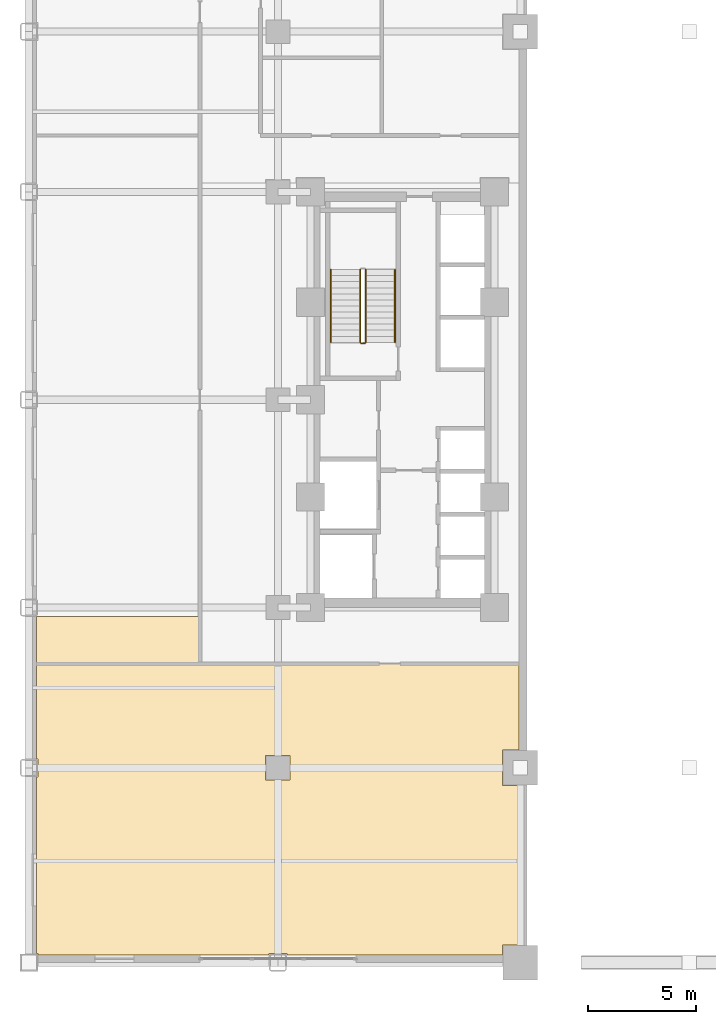
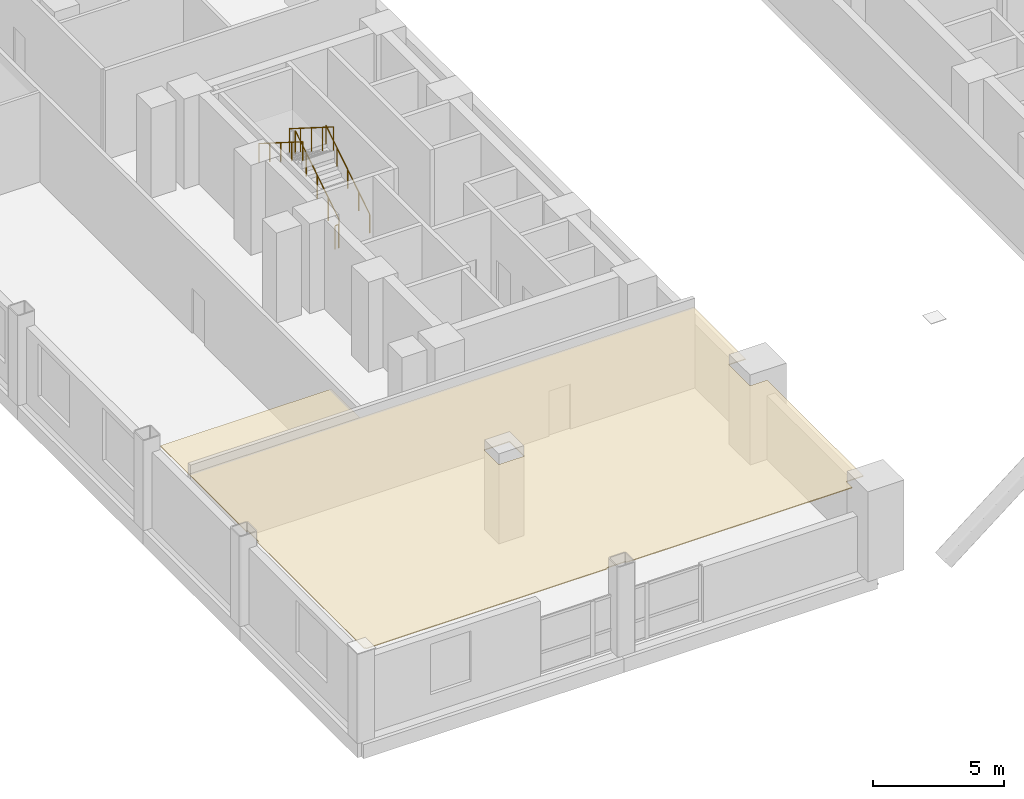
# One storey, part 11 of 14: 5 railings, 2 coverings.
"""IFC4 building model written with IfcOpenShell, lengths in metres."""

from ifc_helpers import new_model, si_unit, direction, frame, origin, origin_2d, place, context, subcontext, project, spatial, polyline, circle, outline, extrude, material, layer, layer_set, type_object, element, save


model = new_model("IFC4")

# Units and contexts
model_context = context("Model", 3, precision=1e-05, world=origin(), true_north=direction((0.0, 1.0)))
body_context = subcontext(model_context, "Body", "Model", "MODEL_VIEW")
ifc_project = project(units=[si_unit("LENGTHUNIT", "METRE"), si_unit("AREAUNIT", "SQUARE_METRE"), si_unit("VOLUMEUNIT", "CUBIC_METRE"), si_unit("PLANEANGLEUNIT", "RADIAN"), si_unit("MASSUNIT", "GRAM", prefix="KILO")], contexts=[model_context])

# Site, building, storey
site_placement = place(None, origin())
site = spatial("IfcSite", under=ifc_project, at=site_placement, CompositionType="ELEMENT")
building_placement = place(site_placement, origin())
building = spatial("IfcBuilding", under=site, at=building_placement, Name="Nuvemarco Arch Tower", CompositionType="ELEMENT")
storey_placement = place(building_placement, frame((0.0, 0.0, 13.800048828125)))
storey = spatial("IfcBuildingStorey", under=building, at=storey_placement, Name="L03", CompositionType="ELEMENT", Elevation=13.800048828125)

# Coverings
ifc_material_1 = material(Name="Mineral acoustic ceiling tile")
ifc_layer = layer(ifc_material_1, 0.0400390625, Name="COV-ACOUSTIC-CLG")
ifc_layer_set = layer_set([ifc_layer], Name="Mineral acoustic ceiling tile")
covering_type = type_object("IfcCoveringType", Name="COV-ACOUSTIC-CLG", PredefinedType="CEILING", material=ifc_layer_set)
covering_1_placement = place(storey_placement, frame((0.0, 0.0, 3.679931640625)))
element("IfcCovering", 1, at=covering_1_placement, inside=storey, type_object=covering_type, Name="L03 suspended acoustic ceiling 1", PredefinedType="CEILING", context=body_context, shape_type="SweptSolid", body=[
    extrude(outline(polyline([(-30.0849609375, -25.5849609375), (-30.139892578125, -25.5849609375), (-30.139892578125, -17.4150390625), (-30.0849609375, -17.4150390625), (-30.0849609375, -16.5849609375), (-30.139892578125, -16.5849609375), (-30.139892578125, -12.199951171875), (-22.60009765625, -12.199951171875), (-19.800048828125, -12.199951171875), (-7.860107421875, -12.199951171875), (-7.860107421875, -16.18505859375), (-8.614990234375, -16.18505859375), (-8.614990234375, -17.81494140625), (-7.860107421875, -17.81494140625), (-7.860107421875, -25.18505859375), (-8.614990234375, -25.18505859375), (-8.614990234375, -25.639892578125), (-18.5849609375, -25.639892578125), (-18.5849609375, -25.5849609375), (-19.4150390625, -25.5849609375), (-19.4150390625, -25.639892578125), (-30.0849609375, -25.639892578125), (-30.0849609375, -25.5849609375)]), holes=[polyline([(-18.43505859375, -16.43505859375), (-19.56494140625, -16.43505859375), (-19.56494140625, -17.56494140625), (-18.43505859375, -17.56494140625), (-18.43505859375, -16.43505859375)])]), origin(), (0.0, 0.0, 1.0), 0.0400390625),
])
covering_2_placement = place(storey_placement, frame((0.0, 0.0, 3.679931640625)))
element("IfcCovering", 2, at=covering_2_placement, inside=storey, type_object=covering_type, Name="L03 suspended acoustic ceiling 3", PredefinedType="CEILING", context=body_context, shape_type="SweptSolid", body=[
    extrude(outline(polyline([(-30.139892578125, -10.014892578125), (-30.0849609375, -10.014892578125), (-30.0849609375, -10.0), (-22.60009765625, -10.0), (-22.60009765625, -12.199951171875), (-30.139892578125, -12.199951171875), (-30.139892578125, -10.014892578125)])), origin(), (0.0, 0.0, 1.0), 0.0400390625),
])

# Railings
ifc_material_2 = material(Name="Brushed stainless steel handrail", Category="steel")
railing_type_1 = type_object("IfcRailingType", Name="RL-HANDRAIL-900", PredefinedType="HANDRAIL", material=ifc_material_2)
railing_1_placement = place(storey_placement, frame((-13.590087890625, 2.64990234375, 0.1767578125)))
element("IfcRailing", 3, at=railing_1_placement, inside=storey, type_object=railing_type_1, Name="L03 ST-1 stair handrail 1", PredefinedType="HANDRAIL", context=body_context, shape_type="SweptSolid", body=[
    extrude(circle(Radius=0.02392578125, at=origin_2d()), frame((0.0, 0.0, 0.8759765625), z_axis=(0.0, 0.845361898145, 0.534194029511), x_axis=(-1.0, 0.0, 0.0)), (0.0, 0.0, 1.0), 3.974853515625),
    extrude(circle(Radius=0.02099609375, at=origin_2d()), origin(), (0.0, 0.0, 1.0), 0.851806640625),
    extrude(circle(Radius=0.02099609375, at=origin_2d()), frame((0.0, 0.840087890625, 0.53076171875)), (0.0, 0.0, 1.0), 0.851806640625),
    extrude(circle(Radius=0.02099609375, at=origin_2d()), frame((0.0, 1.68017578125, 1.0615234375)), (0.0, 0.0, 1.0), 0.851806640625),
    extrude(circle(Radius=0.02099609375, at=origin_2d()), frame((0.0, 2.52001953125, 1.592529296875)), (0.0, 0.0, 1.0), 0.851806640625),
    extrude(circle(Radius=0.02099609375, at=origin_2d()), frame((0.0, 3.360107421875, 2.123291015625)), (0.0, 0.0, 1.0), 0.851806640625),
])
railing_2_placement = place(storey_placement, frame((-16.550048828125, 6.010009765625, 2.476806640625)))
element("IfcRailing", 4, at=railing_2_placement, inside=storey, type_object=railing_type_1, Name="L03 ST-1 stair handrail 2", PredefinedType="HANDRAIL", context=body_context, shape_type="SweptSolid", body=[
    extrude(circle(Radius=0.02392578125, at=origin_2d()), frame((0.0, 0.0, 0.8759765625), z_axis=(0.0, -0.845389635667, 0.534150132366), x_axis=(1.0, 0.0, 0.0)), (0.0, 0.0, 1.0), 3.974609375),
    extrude(circle(Radius=0.02099609375, at=origin_2d()), origin(), (0.0, 0.0, 1.0), 0.851806640625),
    extrude(circle(Radius=0.02099609375, at=origin_2d()), frame((0.0, -0.840087890625, 0.53076171875)), (0.0, 0.0, 1.0), 0.851806640625),
    extrude(circle(Radius=0.02099609375, at=origin_2d()), frame((0.0, -1.68017578125, 1.0615234375)), (0.0, 0.0, 1.0), 0.851806640625),
    extrude(circle(Radius=0.02099609375, at=origin_2d()), frame((0.0, -2.52001953125, 1.59228515625)), (0.0, 0.0, 1.0), 0.851806640625),
    extrude(circle(Radius=0.02099609375, at=origin_2d()), frame((0.0, -3.360107421875, 2.123046875)), (0.0, 0.0, 1.0), 0.851806640625),
])
ifc_material_3 = material(Name="Painted balustrade steel S355", Category="steel")
railing_type_2 = type_object("IfcRailingType", Name="RL-STAIR-GUARD", PredefinedType="GUARDRAIL", material=ifc_material_3)
railing_3_placement = place(storey_placement, frame((-14.93994140625, 2.64990234375, 0.1767578125)))
element("IfcRailing", 5, at=railing_3_placement, inside=storey, type_object=railing_type_2, Name="L03 ST-1 stair guard 1", PredefinedType="GUARDRAIL", context=body_context, shape_type="SweptSolid", body=[
    extrude(circle(Radius=0.02392578125, at=origin_2d()), frame((0.0, 0.0, 1.09619140625), z_axis=(0.0, 0.845361898145, 0.534194029511), x_axis=(-1.0, 0.0, 0.0)), (0.0, 0.0, 1.0), 3.974853515625),
    extrude(circle(Radius=0.02099609375, at=origin_2d()), origin(), (0.0, 0.0, 1.0), 1.072021484375),
    extrude(circle(Radius=0.02099609375, at=origin_2d()), frame((0.0, 0.840087890625, 0.53076171875)), (0.0, 0.0, 1.0), 1.072021484375),
    extrude(circle(Radius=0.02099609375, at=origin_2d()), frame((0.0, 1.68017578125, 1.0615234375)), (0.0, 0.0, 1.0), 1.072021484375),
    extrude(circle(Radius=0.02099609375, at=origin_2d()), frame((0.0, 2.52001953125, 1.592529296875)), (0.0, 0.0, 1.0), 1.072021484375),
    extrude(circle(Radius=0.02099609375, at=origin_2d()), frame((0.0, 3.360107421875, 2.123291015625)), (0.0, 0.0, 1.0), 1.072021484375),
])
railing_4_placement = place(storey_placement, frame((-15.199951171875, 6.010009765625, 2.476806640625)))
element("IfcRailing", 6, at=railing_4_placement, inside=storey, type_object=railing_type_2, Name="L03 ST-1 stair guard 3", PredefinedType="GUARDRAIL", context=body_context, shape_type="SweptSolid", body=[
    extrude(circle(Radius=0.02392578125, at=origin_2d()), frame((0.0, 0.0, 1.09619140625), z_axis=(0.0, -0.845389635667, 0.534150132366), x_axis=(1.0, 0.0, 0.0)), (0.0, 0.0, 1.0), 3.974609375),
    extrude(circle(Radius=0.02099609375, at=origin_2d()), origin(), (0.0, 0.0, 1.0), 1.072021484375),
    extrude(circle(Radius=0.02099609375, at=origin_2d()), frame((0.0, -0.840087890625, 0.53076171875)), (0.0, 0.0, 1.0), 1.072021484375),
    extrude(circle(Radius=0.02099609375, at=origin_2d()), frame((0.0, -1.68017578125, 1.0615234375)), (0.0, 0.0, 1.0), 1.072021484375),
    extrude(circle(Radius=0.02099609375, at=origin_2d()), frame((0.0, -2.52001953125, 1.59228515625)), (0.0, 0.0, 1.0), 1.072021484375),
    extrude(circle(Radius=0.02099609375, at=origin_2d()), frame((0.0, -3.360107421875, 2.123046875)), (0.0, 0.0, 1.0), 1.072021484375),
])
railing_5_placement = place(storey_placement, frame((-14.989990234375, 2.60009765625, 0.0)))
element("IfcRailing", 7, at=railing_5_placement, inside=storey, type_object=railing_type_2, Name="L03 ST-1 stair guard 4", PredefinedType="GUARDRAIL", context=body_context, shape_type="SweptSolid", body=[
    extrude(circle(Radius=0.02392578125, at=origin_2d()), frame((0.0, 0.0, 1.09619140625), z_axis=(-1.0, 0.0, 0.0), x_axis=(0.0, -1.0, 0.0)), (0.0, 0.0, 1.0), 0.159912109375),
    extrude(circle(Radius=0.02099609375, at=origin_2d()), origin(), (0.0, 0.0, 1.0), 1.072021484375),
    extrude(circle(Radius=0.02099609375, at=origin_2d()), frame((-0.159912109375, 0.0, 0.0)), (0.0, 0.0, 1.0), 1.072021484375),
])

save(model, "model.ifc")
